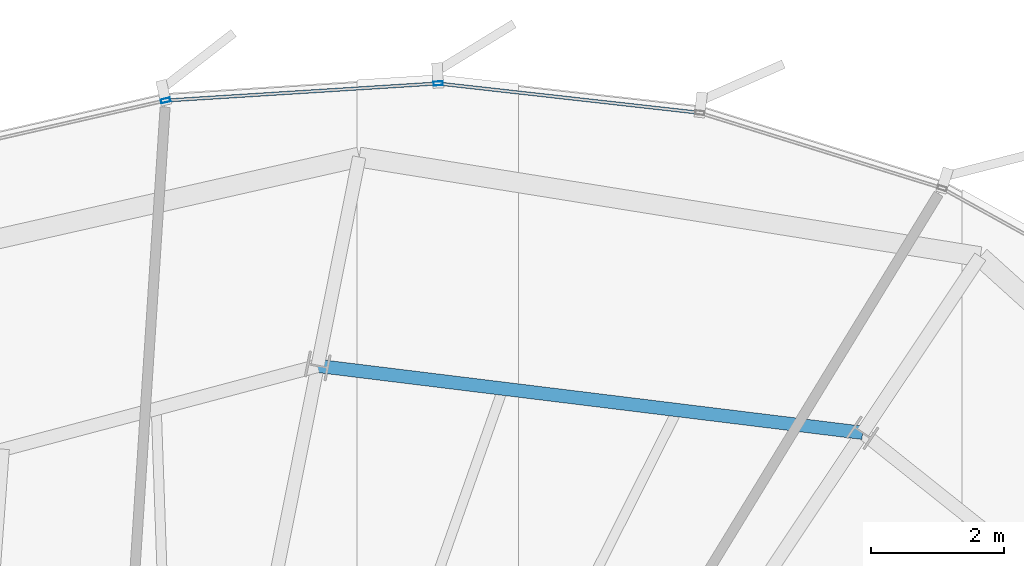
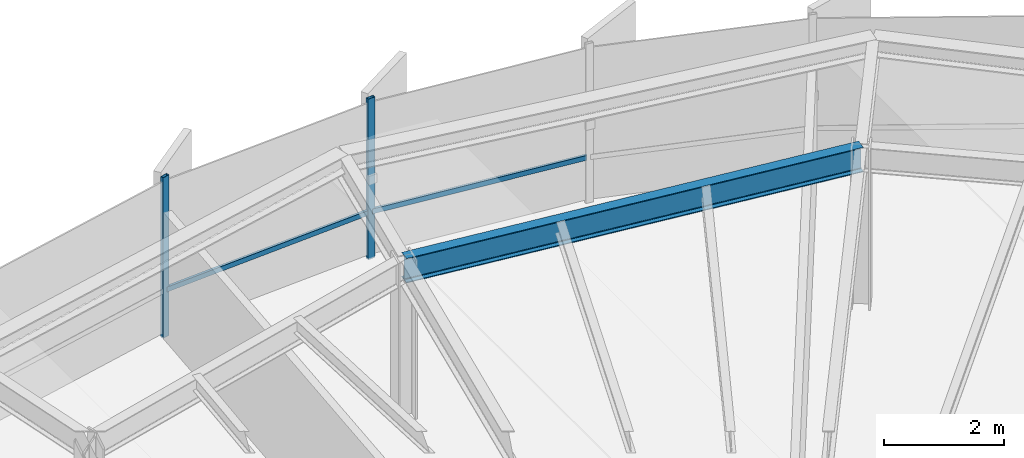
# One storey, part 24 of 35: 4 members, 1 beam, 1 element without a shape of its own.
"""IFC4 building model written with IfcOpenShell, lengths in metres."""

from ifc_helpers import new_model, si_unit, direction, frame, origin, origin_2d, place, context, subcontext, project, spatial, hollow_rectangle, i_section, extrude, source, transform, mapped, material, layer, layer_set, material_profile, profile_set, type_object, element, aggregate, save


model = new_model("IFC4")

# Units and contexts
model_context = context("Model", 3, precision=1e-05, world=origin(), true_north=direction((0.0, 1.0)))
body_context = subcontext(model_context, "Body", "Model", "MODEL_VIEW")
ifc_project = project(units=[si_unit("LENGTHUNIT", "METRE"), si_unit("AREAUNIT", "SQUARE_METRE"), si_unit("VOLUMEUNIT", "CUBIC_METRE"), si_unit("PLANEANGLEUNIT", "RADIAN"), si_unit("MASSUNIT", "GRAM", prefix="KILO"), si_unit("THERMODYNAMICTEMPERATUREUNIT", "KELVIN")], contexts=[model_context])

# Site, building, storey
site_placement = place(None, origin())
site = spatial("IfcSite", under=ifc_project, at=site_placement, CompositionType="ELEMENT")
building_placement = place(site_placement, origin())
building = spatial("IfcBuilding", under=site, at=building_placement, Name="Kethvar Cultural Tower", CompositionType="ELEMENT")
storey_placement = place(building_placement, frame((0.0, 0.0, 204.39990234375)))
storey = spatial("IfcBuildingStorey", under=building, at=storey_placement, Name="L53", CompositionType="ELEMENT", Elevation=204.39990234375)

# Beam
ifc_material_1 = material(Name="Steel S355J2", Category="steel")
ifc_material_profile_1 = material_profile(ifc_material_1, i_section(OverallWidth=0.199951171875, OverallDepth=0.5, WebThickness=0.01025390625, FlangeThickness=0.01611328125, FilletRadius=0.02099609375, at=origin_2d()), Name="Steel S355J2 — IPE500")
ifc_profile_set_1 = profile_set([ifc_material_profile_1], Name="Steel S355J2 — IPE500")
beam_type = type_object("IfcBeamType", Name="BM-IPE500", PredefinedType="BEAM", material=ifc_profile_set_1)
shared_shape_1 = source(origin(), body_context, "Body", "SweptSolid", [
    extrude(i_section(OverallWidth=0.199951171875, OverallDepth=0.5, WebThickness=0.01025390625, FlangeThickness=0.01611328125, FilletRadius=0.02099609375, at=origin_2d()), origin(), (0.0, 0.0, 1.0), 8.252685546875),
])
beam_placement = place(storey_placement, frame((58.748046875, 45.681396484375, 3.008056640625), z_axis=(-0.992540943467, 0.121911753093, 0.0), x_axis=(-0.121911753093, -0.992540943467, 0.0)))
element("IfcBeam", 1, at=beam_placement, inside=storey, type_object=beam_type, Name="L53 Column Ring Tie Beam CR-03", PredefinedType="BEAM", context=body_context, shape_type="MappedRepresentation", body=[
    mapped(shared_shape_1, transform((0.0, 0.0, 0.0), scale=1.0)),
])

# Curtain wall, members
ifc_material_2 = material(Name="Aluminium 6063-T6", Category="aluminium")
ifc_layer = layer(ifc_material_2, 0.179931640625, Name="Aluminium 6063-T6", Category="aluminium")
ifc_layer_set = layer_set([ifc_layer], Name="Aluminium 6063-T6 (180 mm)")
curtain_wall_type = type_object("IfcCurtainWallType", Name="CW-SYS-04-Z34", PredefinedType="NOTDEFINED", material=ifc_layer_set)
curtain_wall_placement = place(storey_placement, origin())
curtain_wall = element("IfcCurtainWall", 2, at=curtain_wall_placement, inside=storey, type_object=curtain_wall_type, Name="L53 Curtain Wall Run 01", PredefinedType="NOTDEFINED")
ifc_material_profile_2 = material_profile(ifc_material_2, hollow_rectangle(XDim=0.06005859375, YDim=0.139892578125, WallThickness=0.0048828125, at=origin_2d()), Name="Aluminium 6063-T6 — RHS140x60x5")
ifc_profile_set_2 = profile_set([ifc_material_profile_2], Name="Aluminium 6063-T6 — RHS140x60x5")
member_type_1 = type_object("IfcMemberType", Name="CW-SYS-04-Z34-MUL", PredefinedType="MULLION", material=ifc_profile_set_2)
shared_shape_2 = source(origin(), body_context, "Body", "SweptSolid", [
    extrude(hollow_rectangle(XDim=0.06005859375, YDim=0.139892578125, WallThickness=0.0048828125, at=origin_2d()), origin(), (0.0, 0.0, 1.0), 3.260009765625),
])
member_1_placement = place(storey_placement, frame((52.368408203125, 50.93359375, 0.0), z_axis=(0.0, 0.0, 1.0), x_axis=(0.062755681786, -0.998028919623, 0.0)))
member_1 = element("IfcMember", 3, at=member_1_placement, type_object=member_type_1, Name="CW-L53-R01 Mullion 5", PredefinedType="MULLION", context=body_context, shape_type="MappedRepresentation", body=[
    mapped(shared_shape_2, transform((0.0, 0.0, 0.0), scale=1.0)),
])
member_2_placement = place(storey_placement, frame((48.269775390625, 50.677490234375, 0.0), z_axis=(0.0, 0.0, 1.0), x_axis=(0.222518503141, -0.974928466996, 0.0)))
member_2 = element("IfcMember", 4, at=member_2_placement, type_object=member_type_1, Name="CW-L53-R01 Mullion 6", PredefinedType="MULLION", context=body_context, shape_type="MappedRepresentation", body=[
    mapped(shared_shape_2, transform((0.0, 0.0, 0.0), scale=1.0)),
])
ifc_material_profile_3 = material_profile(ifc_material_2, hollow_rectangle(XDim=0.050048828125, YDim=0.10009765625, WallThickness=0.00390625, at=origin_2d()), Name="Aluminium 6063-T6 — RHS100x50x4")
ifc_profile_set_3 = profile_set([ifc_material_profile_3], Name="Aluminium 6063-T6 — RHS100x50x4")
member_type_2 = type_object("IfcMemberType", Name="CW-SYS-04-Z34-TRN", PredefinedType="USERDEFINED", material=ifc_profile_set_3)
shared_shape_3 = source(origin(), body_context, "Body", "SweptSolid", [
    extrude(hollow_rectangle(XDim=0.050048828125, YDim=0.10009765625, WallThickness=0.00390625, at=origin_2d()), origin(), (0.0, 0.0, 1.0), 3.890869140625),
])
member_3_placement = place(storey_placement, frame((56.2587890625, 50.496337890625, 0.9501953125), z_axis=(-0.993785397366, 0.111313000059, 0.0), x_axis=(-0.111313000059, -0.993785397366, 0.0)))
member_3 = element("IfcMember", 5, at=member_3_placement, type_object=member_type_2, Name="CW-L53-R01 Transom 4", ObjectType="TRANSOM", PredefinedType="USERDEFINED", context=body_context, shape_type="MappedRepresentation", body=[
    mapped(shared_shape_3, transform((0.0, 0.0, 0.0), scale=1.0)),
])
shared_shape_4 = source(origin(), body_context, "Body", "SweptSolid", [
    extrude(hollow_rectangle(XDim=0.050048828125, YDim=0.10009765625, WallThickness=0.00390625, at=origin_2d()), origin(), (0.0, 0.0, 1.0), 4.0380859375),
])
member_4_placement = place(storey_placement, frame((52.3251953125, 50.930908203125, 0.9501953125), z_axis=(-0.998028745161, -0.06275845626, 0.0), x_axis=(0.06275845626, -0.998028745161, 0.0)))
member_4 = element("IfcMember", 6, at=member_4_placement, type_object=member_type_2, Name="CW-L53-R01 Transom 5", ObjectType="TRANSOM", PredefinedType="USERDEFINED", context=body_context, shape_type="MappedRepresentation", body=[
    mapped(shared_shape_4, transform((0.0, 0.0, 0.0), scale=1.0)),
])
aggregate(curtain_wall, [member_1, member_2, member_3, member_4])

save(model, "model.ifc")
